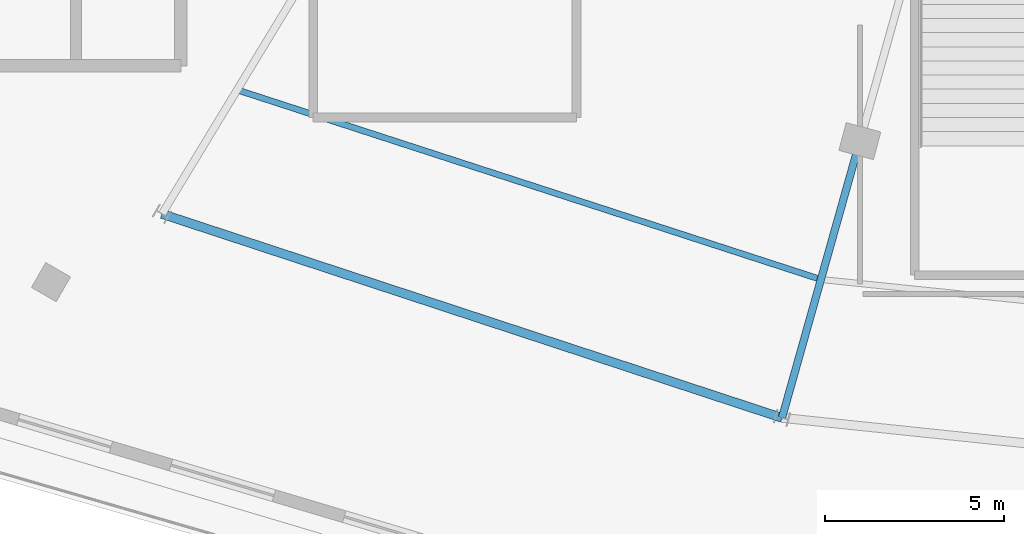
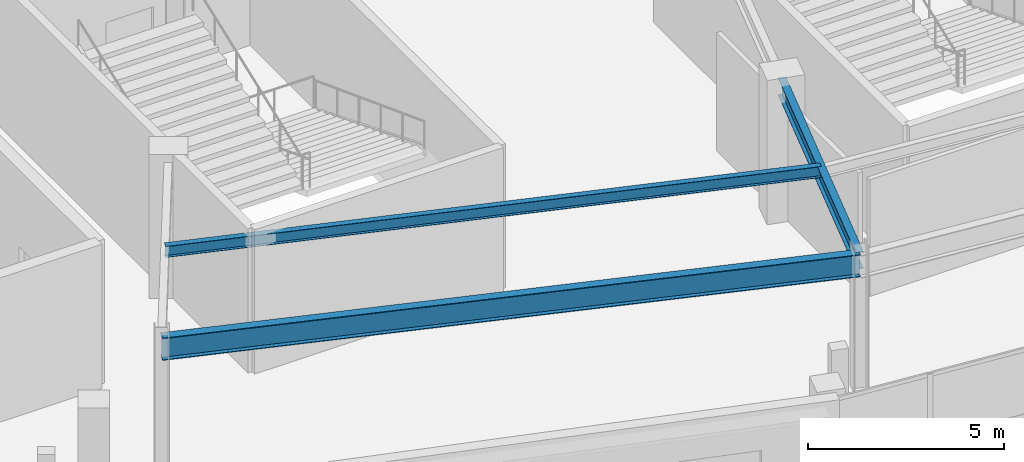
# One storey, part 21 of 107: 3 beams.
"""IFC4 building model written with IfcOpenShell, lengths in metres."""

from ifc_helpers import new_model, si_unit, direction, frame, origin, origin_2d, place, context, subcontext, project, spatial, i_section, extrude, material, material_profile, profile_set, type_object, element, save


model = new_model("IFC4")

# Units and contexts
model_context = context("Model", 3, precision=1e-05, world=origin(), true_north=direction((0.0, 1.0)))
body_context = subcontext(model_context, "Body", "Model", "MODEL_VIEW")
ifc_project = project(units=[si_unit("LENGTHUNIT", "METRE"), si_unit("AREAUNIT", "SQUARE_METRE"), si_unit("VOLUMEUNIT", "CUBIC_METRE"), si_unit("PLANEANGLEUNIT", "RADIAN"), si_unit("MASSUNIT", "GRAM", prefix="KILO")], contexts=[model_context])

# Site, building, storey
site_placement = place(None, origin())
site = spatial("IfcSite", under=ifc_project, at=site_placement, CompositionType="ELEMENT")
building_placement = place(site_placement, origin())
building = spatial("IfcBuilding", under=site, at=building_placement, Name="Kalgoora Escarpment Arena", CompositionType="ELEMENT")
storey_placement = place(building_placement, frame((0.0, 0.0, 5.39990234375)))
storey = spatial("IfcBuildingStorey", under=building, at=storey_placement, Name="L01", CompositionType="ELEMENT", Elevation=5.39990234375)

# Beams
ifc_material_1 = material(Name="Structural steel AS/NZS 3679 (300 MPa)", Category="steel")
ifc_material_profile_1 = material_profile(ifc_material_1, i_section(OverallWidth=0.1708984375, OverallDepth=0.35205078125, WebThickness=0.0068359375, FlangeThickness=0.009765625, at=origin_2d()))
ifc_profile_set_1 = profile_set([ifc_material_profile_1], Name="Structural steel AS/NZS 3679 (300 MPa)")
beam_type_1 = type_object("IfcBeamType", Name="BM-BEAM-360UB44.7", PredefinedType="BEAM", material=ifc_profile_set_1)
beam_1_placement = place(storey_placement, frame((58.60009765625, 18.1005859375, 4.064208984375), z_axis=(0.951103123122, -0.308873516489, 0.0), x_axis=(0.308873516489, 0.951103123122, 0.0)))
element("IfcBeam", 1, at=beam_1_placement, inside=storey, type_object=beam_type_1, Name="L01 Concourse secondary ring beam 360UB44.7", PredefinedType="BEAM", context=body_context, shape_type="SweptSolid", body=[
    extrude(i_section(OverallWidth=0.1708984375, OverallDepth=0.35205078125, WebThickness=0.0068359375, FlangeThickness=0.009765625, at=origin_2d()), origin(), (0.0, 0.0, 1.0), 17.141845703125),
])
ifc_material_2 = material(Name="Structural steel AS/NZS 3679 (300 MPa)", Category="steel")
ifc_material_profile_2 = material_profile(ifc_material_2, i_section(OverallWidth=0.208984375, OverallDepth=0.532958984375, WebThickness=0.01025390625, FlangeThickness=0.015625, at=origin_2d()))
ifc_profile_set_2 = profile_set([ifc_material_profile_2], Name="Structural steel AS/NZS 3679 (300 MPa)")
beam_type_2 = type_object("IfcBeamType", Name="BM-GIRDER-530UB92.4", PredefinedType="USERDEFINED", material=ifc_profile_set_2)
beam_2_placement = place(storey_placement, frame((75.990966796875, 16.669677734375, 3.9736328125), z_axis=(-0.27082660355, -0.962628147734, 0.0), x_axis=(0.962628147734, -0.27082660355, 0.0)))
element("IfcBeam", 2, at=beam_2_placement, inside=storey, type_object=beam_type_2, Name="L01 Radial concourse girder 530UB92.4", ObjectType="GIRDER", PredefinedType="USERDEFINED", context=body_context, shape_type="SweptSolid", body=[
    extrude(i_section(OverallWidth=0.208984375, OverallDepth=0.532958984375, WebThickness=0.01025390625, FlangeThickness=0.015625, at=origin_2d()), origin(), (0.0, 0.0, 1.0), 8.027587890625),
])
ifc_material_3 = material(Name="Structural steel AS/NZS 3679 (300 MPa)", Category="steel")
ifc_material_profile_3 = material_profile(ifc_material_3, i_section(OverallWidth=0.25, OverallDepth=0.699951171875, WebThickness=0.010009765625, FlangeThickness=0.02001953125, at=origin_2d()))
ifc_profile_set_3 = profile_set([ifc_material_profile_3], Name="Structural steel AS/NZS 3679 (300 MPa)")
beam_type_3 = type_object("IfcBeamType", Name="BM-SPANDREL-700WB130", PredefinedType="SPANDREL", material=ifc_profile_set_3)
beam_3_placement = place(storey_placement, frame((56.5, 14.63671875, 3.89013671875), z_axis=(0.949954555117, -0.312388129115, 0.0), x_axis=(0.312388129115, 0.949954555117, 0.0)))
element("IfcBeam", 3, at=beam_3_placement, inside=storey, type_object=beam_type_3, Name="L01 Circumferential concourse girder RCONC2 700WB130", PredefinedType="SPANDREL", context=body_context, shape_type="SweptSolid", body=[
    extrude(i_section(OverallWidth=0.25, OverallDepth=0.699951171875, WebThickness=0.010009765625, FlangeThickness=0.02001953125, at=origin_2d()), origin(), (0.0, 0.0, 1.0), 18.229248046875),
])

save(model, "model.ifc")
